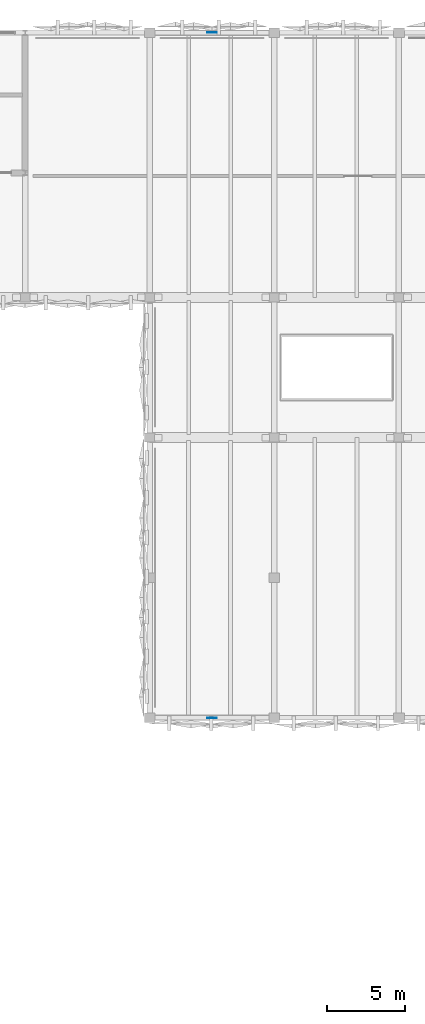
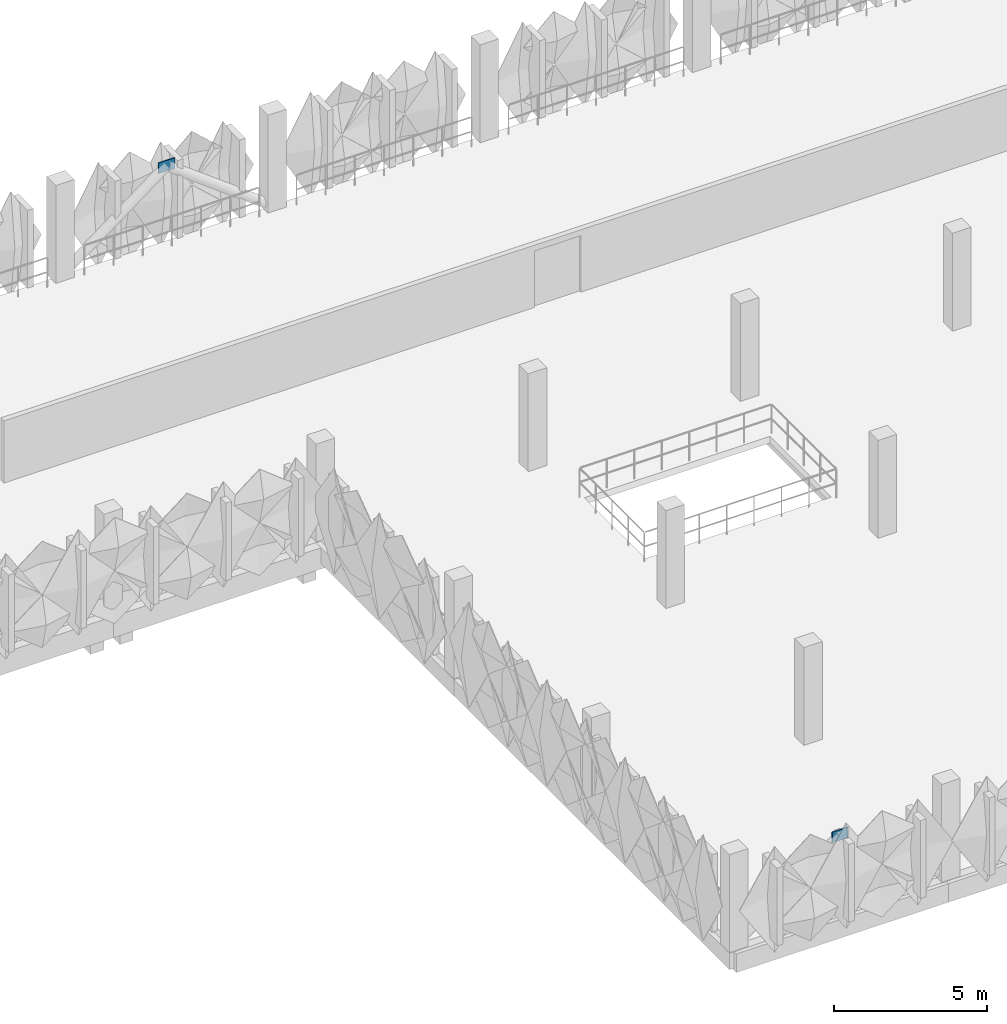
# One storey, part 24 of 52: 2 plates.
"""IFC4 building model written with IfcOpenShell, lengths in metres."""

from ifc_helpers import new_model, si_unit, derived_unit, direction, frame, origin, origin_2d, place, context, subcontext, project, spatial, rectangle, extrude, material, layer, layer_set, type_object, element, save


model = new_model("IFC4")

# Units and contexts
model_context = context("Model", 3, precision=1e-05, world=origin(), true_north=direction((0.0, 1.0)))
body_context = subcontext(model_context, "Body", "Model", "MODEL_VIEW")
ifc_project = project(units=[si_unit("LENGTHUNIT", "METRE"), si_unit("AREAUNIT", "SQUARE_METRE"), si_unit("VOLUMEUNIT", "CUBIC_METRE"), si_unit("PLANEANGLEUNIT", "RADIAN"), si_unit("MASSUNIT", "GRAM", prefix="KILO"), si_unit("THERMODYNAMICTEMPERATUREUNIT", "KELVIN"), derived_unit("THERMALTRANSMITTANCEUNIT", [(si_unit("POWERUNIT", "WATT"), 1), (si_unit("AREAUNIT", "SQUARE_METRE"), -1), (si_unit("THERMODYNAMICTEMPERATUREUNIT", "KELVIN"), -1)])], contexts=[model_context])

# Site, building, storey
site_placement = place(None, origin())
site = spatial("IfcSite", under=ifc_project, at=site_placement, CompositionType="ELEMENT")
building_placement = place(site_placement, origin())
building = spatial("IfcBuilding", under=site, at=building_placement, Name="Haiyu Intermodal Mobility Hub", CompositionType="ELEMENT")
storey_placement = place(building_placement, frame((0.0, 0.0, 21.199951171875)))
storey = spatial("IfcBuildingStorey", under=building, at=storey_placement, Name="L05", CompositionType="ELEMENT", Elevation=21.199951171875)

# Plates
ifc_material = material(Name="Steel Q355C", Category="steel")
ifc_layer = layer(ifc_material, 0.033935546875)
ifc_layer_set = layer_set([ifc_layer], Name="Steel Q355C")
plate_type = type_object("IfcPlateType", Name="PLT-GP04", PredefinedType="USERDEFINED", material=ifc_layer_set)
for number, where, z_axis, x_axis, name in (
    (1, (42.0, 148.0, 2.7900390625), (0.0, 0.0, 1.0), (1.0, 0.0, 0.0), "Chevron Brace Apex Gusset GP-B085"),
    (2, (42.0, 104.0, 2.7900390625), (0.0, 0.0, 1.0), (1.0, 0.0, 0.0), "Chevron Brace Apex Gusset GP-B100"),
):
    element("IfcPlate", number, at=place(storey_placement, frame(where, z_axis=z_axis, x_axis=x_axis)), inside=storey, type_object=plate_type, Name=name, ObjectType="GUSSET PLATE", PredefinedType="USERDEFINED", context=body_context, shape_type="SweptSolid", body=[
        extrude(rectangle(XDim=0.6201171875, YDim=0.033935546875, at=origin_2d()), origin(), (0.0, 0.0, 1.0), 0.419921875),
    ])

save(model, "model.ifc")
